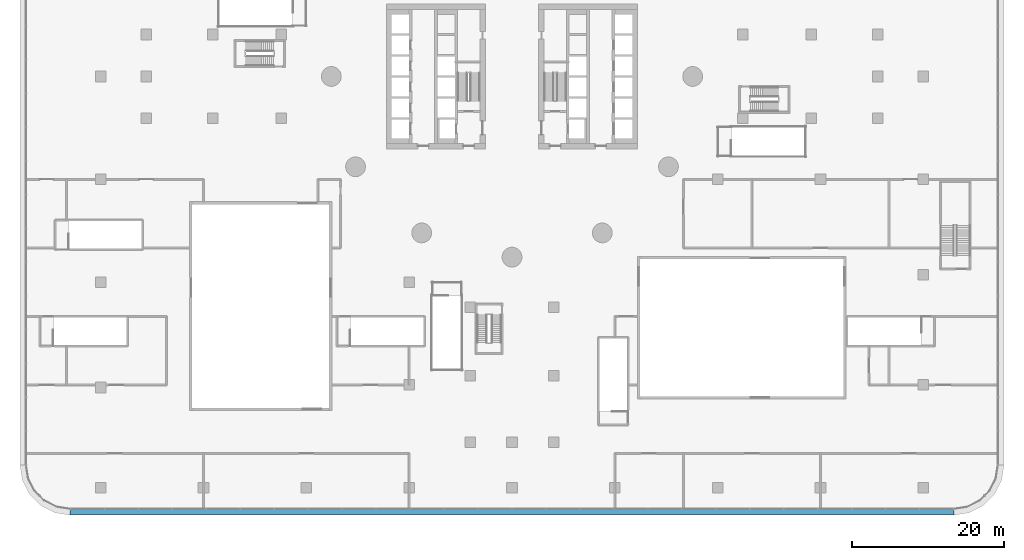
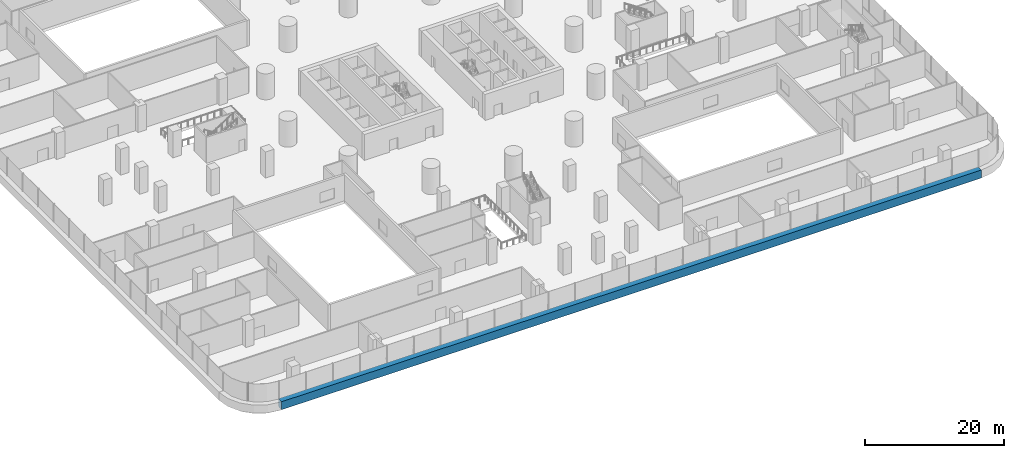
# One storey, part 8 of 38: 1 member, 1 element without a shape of its own.
"""IFC4 building model written with IfcOpenShell, lengths in metres."""

from ifc_helpers import new_model, si_unit, direction, frame, origin, place, context, subcontext, project, spatial, polyline, outline, extrude, material, layer, layer_set, type_object, element, aggregate, save


model = new_model("IFC4")

# Units and contexts
model_context = context("Model", 3, precision=1e-05, world=origin(), true_north=direction((0.0, 1.0)))
body_context = subcontext(model_context, "Body", "Model", "MODEL_VIEW")
ifc_project = project(units=[si_unit("LENGTHUNIT", "METRE"), si_unit("AREAUNIT", "SQUARE_METRE"), si_unit("VOLUMEUNIT", "CUBIC_METRE"), si_unit("PLANEANGLEUNIT", "RADIAN"), si_unit("MASSUNIT", "GRAM", prefix="KILO")], contexts=[model_context])

# Site, building, storey
site_placement = place(None, origin())
site = spatial("IfcSite", under=ifc_project, at=site_placement, CompositionType="ELEMENT")
building_placement = place(site_placement, origin())
building = spatial("IfcBuilding", under=site, at=building_placement, Name="Tamarind Cross Interchange Tower", CompositionType="ELEMENT")
storey_placement = place(building_placement, frame((0.0, 0.0, 20.0)))
storey = spatial("IfcBuildingStorey", under=building, at=storey_placement, Name="L03", CompositionType="ELEMENT", Elevation=20.0)

# Curtain wall, member
ifc_material_1 = material(Name="Aluminium 6063-T6", Category="aluminium")
ifc_layer = layer(ifc_material_1, 0.199951171875)
ifc_layer_set = layer_set([ifc_layer], Name="Aluminium 6063-T6")
curtain_wall_type = type_object("IfcCurtainWallType", Name="Podium shopfront and station curtain wall", PredefinedType="NOTDEFINED", material=ifc_layer_set)
curtain_wall_placement = place(storey_placement, origin())
curtain_wall = element("IfcCurtainWall", 1, at=curtain_wall_placement, inside=storey, type_object=curtain_wall_type, Name="CWS-L03-06", PredefinedType="NOTDEFINED")
ifc_material_2 = material(Name="Aluminium and insulated spandrel panel", Category="aluminium")
member_type = type_object("IfcMemberType", Name="Floor-edge blade transom", PredefinedType="USERDEFINED", material=ifc_material_2)
member_placement = place(storey_placement, origin())
member = element("IfcMember", 2, at=member_placement, type_object=member_type, Name="CWT-L03-06", ObjectType="TRANSOM", PredefinedType="USERDEFINED", context=body_context, shape_type="SweptSolid", body=[
    extrude(outline(polyline([(-57.976318359375, -56.699951171875), (57.976318359375, -56.699951171875), (58.047119140625, -57.60009765625), (-58.047119140625, -57.60009765625), (-57.976318359375, -56.699951171875)])), origin(), (0.0, 0.0, 1.0), 1.39990234375),
])
aggregate(curtain_wall, [member])

save(model, "model.ifc")
